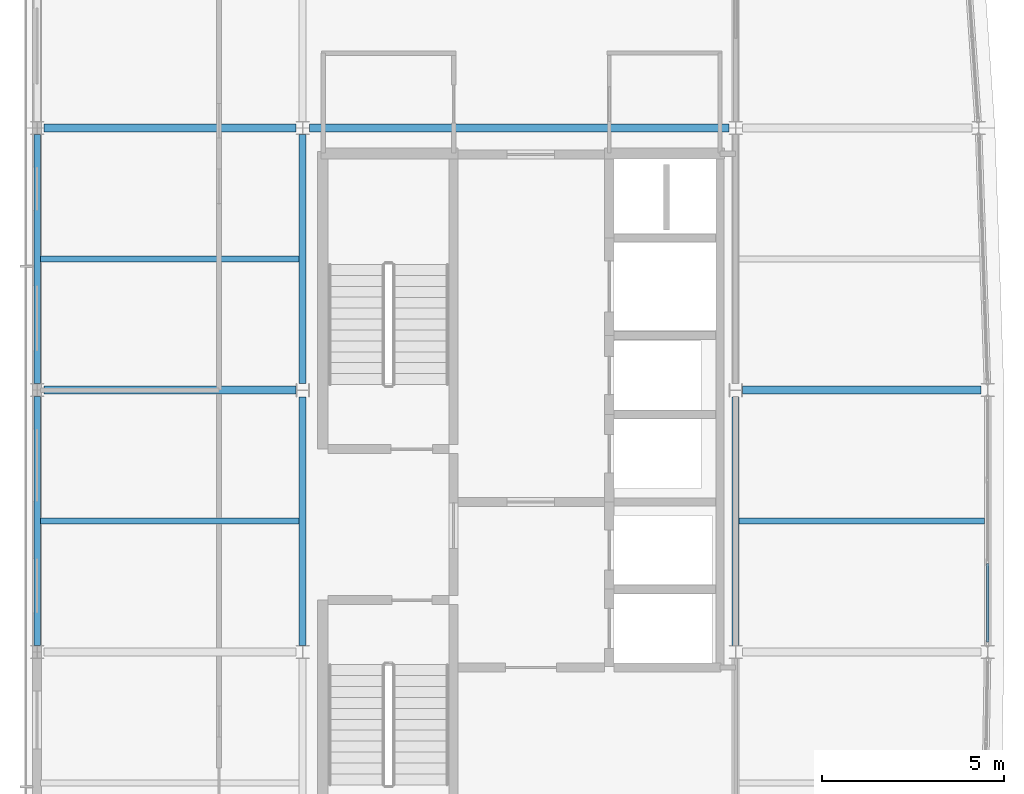
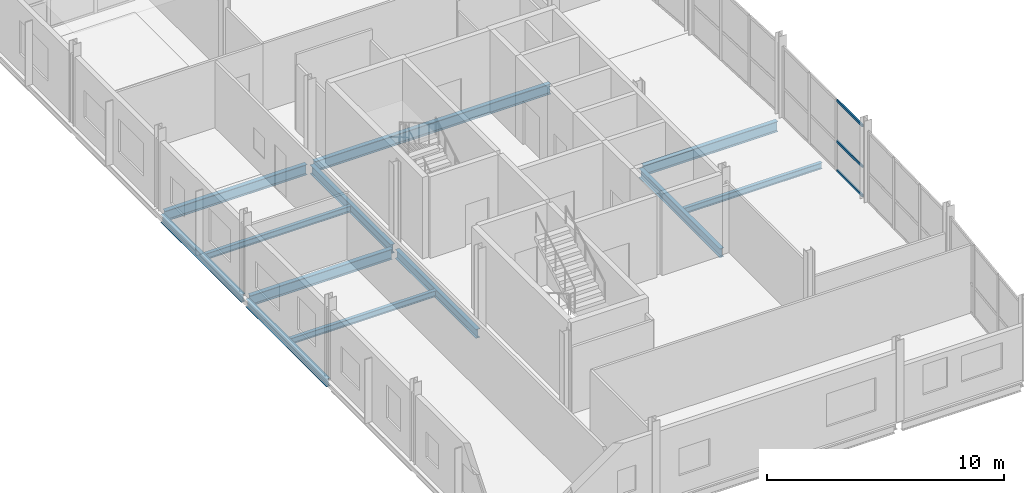
# One storey, part 3 of 16: 12 beams, 3 members, 1 element without a shape of its own.
"""IFC4 building model written with IfcOpenShell, lengths in metres."""

import ifcopenshell
import ifcopenshell.guid

model = None  # the IFC model being written
_history = None  # IfcOwnerHistory: only IFC2X3 demands one
_inside = {}  # id of a spatial element -> (the spatial element, [elements in it])
_under = {}  # id of a project, library or spatial element -> (it, [spatial elements below it])
_declared = {}  # id of a project -> (the project, [libraries it declares])
_typed = {}  # id of a type object -> (the type object, [elements of that type])
_made_of = {}  # id of a material, layer set ... -> (it, [elements and type objects made of it])


def new_model(schema):
    """Start an empty IFC model of exactly this schema.

    Asked for "IFC4X3", IfcOpenShell would pick the latest addendum, in which some entities
    have other attributes; the version numbers below select the first issue.
    IFC2X3 requires an IfcOwnerHistory on every rooted entity: one is made here for all.
    """
    global model, _history
    if schema == "IFC4X3":
        model = ifcopenshell.file(schema_version=(4, 3, 0, 0))
    else:
        model = ifcopenshell.file(schema=schema)
    _inside.clear()
    _under.clear()
    _declared.clear()
    _typed.clear()
    _made_of.clear()
    _history = None
    if model.schema == "IFC2X3":
        org = make("IfcOrganization", Name="unknown")
        user = make(
            "IfcPersonAndOrganization",
            ThePerson=make("IfcPerson", FamilyName="unknown"),
            TheOrganization=org,
        )
        app = make(
            "IfcApplication",
            ApplicationDeveloper=org,
            Version="unknown",
            ApplicationFullName="unknown",
            ApplicationIdentifier="unknown",
        )
        _history = make(
            "IfcOwnerHistory",
            OwningUser=user,
            OwningApplication=app,
            ChangeAction="ADDED",
            CreationDate=0,
        )
    return model


def make(cls, **values):
    """One entity of the class cls with the attributes given. An attribute that is None is left unset."""
    return model.create_entity(
        cls, **{name: value for name, value in values.items() if value is not None}
    )


def rooted(cls, **values):
    """An entity with a GlobalId (a new one), such as an element, a storey or a relation."""
    return make(cls, GlobalId=ifcopenshell.guid.new(), OwnerHistory=_history, **values)


def si_unit(unit_type, name, prefix=None):
    """IfcSIUnit, for example si_unit("LENGTHUNIT", "METRE", prefix="MILLI")."""
    return make("IfcSIUnit", UnitType=unit_type, Prefix=prefix, Name=name)


def assignment(units):
    """IfcUnitAssignment: the units of a project."""
    return None if units is None else make("IfcUnitAssignment", Units=units)


def point(xyz):
    """IfcCartesianPoint."""
    return None if xyz is None else make("IfcCartesianPoint", Coordinates=xyz)


def direction(xyz):
    """IfcDirection."""
    return None if xyz is None else make("IfcDirection", DirectionRatios=xyz)


def frame(location, z_axis=None, x_axis=None):
    """IfcAxis2Placement3D, a coordinate frame: its origin and axes. An axis left out is left unset."""
    return make(
        "IfcAxis2Placement3D",
        Location=point(location),
        Axis=direction(z_axis),
        RefDirection=direction(x_axis),
    )


def frame_2d(location, x_axis=None):
    """IfcAxis2Placement2D, a coordinate frame in the plane: its origin and x axis."""
    return make(
        "IfcAxis2Placement2D", Location=point(location), RefDirection=direction(x_axis)
    )


def origin():
    """The frame at (0, 0, 0) with its axes left unset."""
    return frame((0.0, 0.0, 0.0))


def origin_2d():
    """The frame at (0, 0) in the plane with its x axis left unset."""
    return frame_2d((0.0, 0.0))


def place(relative_to, where):
    """IfcLocalPlacement: puts the frame where relative to a parent placement (None: the world)."""
    return make(
        "IfcLocalPlacement", PlacementRelTo=relative_to, RelativePlacement=where
    )


def context(
    kind, dimensions, precision=None, world=None, true_north=None, identifier=None
):
    """IfcGeometricRepresentationContext, for example the 3D "Model" context."""
    return make(
        "IfcGeometricRepresentationContext",
        ContextIdentifier=identifier,
        ContextType=kind,
        CoordinateSpaceDimension=dimensions,
        Precision=precision,
        WorldCoordinateSystem=world,
        TrueNorth=true_north,
    )


def subcontext(parent, identifier, kind, view, scale=None):
    """IfcGeometricRepresentationSubContext, for example "Body" below "Model"."""
    return make(
        "IfcGeometricRepresentationSubContext",
        ContextIdentifier=identifier,
        ContextType=kind,
        ParentContext=parent,
        TargetScale=scale,
        TargetView=view,
    )


def project(units=None, contexts=None):
    """IfcProject with its units and contexts."""
    return rooted(
        "IfcProject",
        Name="project",
        RepresentationContexts=contexts,
        UnitsInContext=assignment(units),
    )


def spatial(cls, under=None, at=None, **own):
    """A site, building, storey or space (cls), placed at a placement, below another one or the project."""
    s = rooted(cls, ObjectPlacement=at, **own)
    if under is not None:
        _under.setdefault(under.id(), (under, []))[1].append(s)
    return s


def profile(cls, at=None, kind="AREA", **sizes):
    """A parametric profile (cls). Its sizes go by their IFC names, for example OverallWidth=200.0."""
    return make(cls, ProfileType=kind, Position=at, **sizes)


def hollow_rectangle(**sizes):
    """IfcRectangleHollowProfileDef."""
    return profile("IfcRectangleHollowProfileDef", **sizes)


def i_section(**sizes):
    """IfcIShapeProfileDef."""
    return profile("IfcIShapeProfileDef", **sizes)


def extrude(swept, where, along, depth):
    """IfcExtrudedAreaSolid: the profile swept, set in the frame where, extruded along a direction by depth."""
    return make(
        "IfcExtrudedAreaSolid",
        SweptArea=swept,
        Position=where,
        ExtrudedDirection=direction(along),
        Depth=depth,
    )


def shape(context_of_items, identifier, shape_type, items):
    """IfcShapeRepresentation: the items that make up one representation, for example the "Body"."""
    return make(
        "IfcShapeRepresentation",
        ContextOfItems=context_of_items,
        RepresentationIdentifier=identifier,
        RepresentationType=shape_type,
        Items=items,
    )


def material(Name=None, Category=None):
    """IfcMaterial."""
    return make("IfcMaterial", Name=Name, Category=Category)


def layer(
    of_material, thickness, ventilated=None, Name=None, Category=None, Priority=None
):
    """IfcMaterialLayer: one layer of a wall or slab, of a material (None: an air gap)."""
    return make(
        "IfcMaterialLayer",
        Material=of_material,
        LayerThickness=thickness,
        IsVentilated=ventilated,
        Name=Name,
        Category=Category,
        Priority=Priority,
    )


def layer_set(layers, Name=None):
    """IfcMaterialLayerSet."""
    return make("IfcMaterialLayerSet", MaterialLayers=layers, LayerSetName=Name)


def material_profile(
    of_material, cross_section, Name=None, Category=None, Priority=None
):
    """IfcMaterialProfile: a cross section and its material."""
    return make(
        "IfcMaterialProfile",
        Name=Name,
        Material=of_material,
        Profile=cross_section,
        Priority=Priority,
        Category=Category,
    )


def profile_set(profiles, Name=None, composite=None):
    """IfcMaterialProfileSet."""
    return make(
        "IfcMaterialProfileSet",
        Name=Name,
        MaterialProfiles=profiles,
        CompositeProfile=composite,
    )


def made_of(thing, what):
    """Note that an element or type object is made of a material, layer set ...; save() writes the relation."""
    if what is not None:
        _made_of.setdefault(what.id(), (what, []))[1].append(thing)
    return thing


def type_object(cls, material=None, **own):
    """A type object (cls), such as IfcWallType, which elements share."""
    return made_of(rooted(cls, **own), material)


def element(
    cls,
    number,
    at=None,
    inside=None,
    cuts=None,
    type_object=None,
    material=None,
    context=None,
    identifier="Body",
    shape_type=None,
    held_by="IfcProductDefinitionShape",
    body=None,
    shapes=None,
    **own,
):
    """One element of the class cls, such as IfcWall. Its Tag is "e" and its number.

    at: its placement. inside: the storey or other place that contains it. cuts: it is an
    opening in that element (IfcRelVoidsElement). A single representation is given by context,
    identifier, shape_type and body (its items); several are given by shapes. held_by: the class
    of the entity that holds the representations. save() writes the other relations.
    """
    e = rooted(cls, Tag="e%d" % number, ObjectPlacement=at, **own)
    if body is not None:
        shapes = [shape(context, identifier, shape_type, body)]
    if shapes is not None:
        e.Representation = make(held_by, Representations=shapes)
    if inside is not None:
        _inside.setdefault(inside.id(), (inside, []))[1].append(e)
    if cuts is not None:
        rooted(
            "IfcRelVoidsElement", RelatingBuildingElement=cuts, RelatedOpeningElement=e
        )
    if type_object is not None:
        _typed.setdefault(type_object.id(), (type_object, []))[1].append(e)
    return made_of(e, material)


def aggregate(whole, parts):
    """IfcRelAggregates: a whole, such as a stair, and the parts it consists of."""
    return rooted("IfcRelAggregates", RelatingObject=whole, RelatedObjects=parts)


def save(model, path):
    """Write the relations noted so far, then the file.

    IfcRelAggregates (storeys below a building ...), IfcRelContainedInSpatialStructure (elements
    in a storey), IfcRelDefinesByType, IfcRelAssociatesMaterial and IfcRelDeclares: one each for
    every whole, place, type object, material and project.
    """
    for whole, parts in _under.values():
        aggregate(whole, parts)
    for where, things in _inside.values():
        rooted(
            "IfcRelContainedInSpatialStructure",
            RelatedElements=things,
            RelatingStructure=where,
        )
    for kind, things in _typed.values():
        rooted("IfcRelDefinesByType", RelatedObjects=things, RelatingType=kind)
    for what, things in _made_of.values():
        rooted("IfcRelAssociatesMaterial", RelatedObjects=things, RelatingMaterial=what)
    for by, libraries in _declared.values():
        rooted("IfcRelDeclares", RelatingContext=by, RelatedDefinitions=libraries)
    model.write(path)


model = new_model("IFC4")

# Units and contexts
model_context = context("Model", 3, precision=1e-05, world=origin(), true_north=direction((0.0, 1.0)))
body_context = subcontext(model_context, "Body", "Model", "MODEL_VIEW")
ifc_project = project(units=[si_unit("LENGTHUNIT", "METRE"), si_unit("AREAUNIT", "SQUARE_METRE"), si_unit("VOLUMEUNIT", "CUBIC_METRE"), si_unit("PLANEANGLEUNIT", "RADIAN"), si_unit("MASSUNIT", "GRAM", prefix="KILO")], contexts=[model_context])

# Site, building, storey
site_placement = place(None, origin())
site = spatial("IfcSite", under=ifc_project, at=site_placement, CompositionType="ELEMENT")
building_placement = place(site_placement, origin())
building = spatial("IfcBuilding", under=site, at=building_placement, Name="Quillay Park Conservatory", CompositionType="ELEMENT")
storey_placement = place(building_placement, frame((0.0, 0.0, 43.5)))
storey = spatial("IfcBuildingStorey", under=building, at=storey_placement, Name="L10", CompositionType="ELEMENT", Elevation=43.5)

# Beams
ifc_material_1 = material(Name="Steel ASTM A992 Grade 50", Category="steel")
ifc_material_profile_1 = material_profile(ifc_material_1, i_section(OverallWidth=0.166015625, OverallDepth=0.31298828125, WebThickness=0.006591796875, FlangeThickness=0.01123046875, FilletRadius=0.010009765625, at=origin_2d()), Name="W310x45")
ifc_profile_set_1 = profile_set([ifc_material_profile_1], Name="Steel ASTM A992 Grade 50")
beam_type_1 = type_object("IfcBeamType", Name="COMPOSITE FLOOR JOIST W310 X45", PredefinedType="JOIST", material=ifc_profile_set_1)
beam_1_placement = place(storey_placement, frame((0.639892578125, 88.800048828125, -0.3564453125), z_axis=(1.0, 0.0, 0.0), x_axis=(0.0, 1.0, 0.0)))
element("IfcBeam", 1, at=beam_1_placement, inside=storey, type_object=beam_type_1, Name="L10 beam BM-J-0746", PredefinedType="JOIST", context=body_context, shape_type="SweptSolid", body=[
    extrude(i_section(OverallWidth=0.166015625, OverallDepth=0.31298828125, WebThickness=0.006591796875, FlangeThickness=0.01123046875, FilletRadius=0.010009765625, at=origin_2d()), origin(), (0.0, 0.0, 1.0), 7.114013671875),
])
beam_2_placement = place(storey_placement, frame((19.845947265625, 88.800048828125, -0.3564453125), z_axis=(1.0, 0.0, 0.0), x_axis=(0.0, 1.0, 0.0)))
element("IfcBeam", 2, at=beam_2_placement, inside=storey, type_object=beam_type_1, Name="L10 beam BM-J-0747", PredefinedType="JOIST", context=body_context, shape_type="SweptSolid", body=[
    extrude(i_section(OverallWidth=0.166015625, OverallDepth=0.31298828125, WebThickness=0.006591796875, FlangeThickness=0.01123046875, FilletRadius=0.010009765625, at=origin_2d()), origin(), (0.0, 0.0, 1.0), 6.739013671875),
])
beam_3_placement = place(storey_placement, frame((0.639892578125, 96.0, -0.3564453125), z_axis=(1.0, 0.0, 0.0), x_axis=(0.0, 1.0, 0.0)))
element("IfcBeam", 3, at=beam_3_placement, inside=storey, type_object=beam_type_1, Name="L10 beam BM-J-0752", PredefinedType="JOIST", context=body_context, shape_type="SweptSolid", body=[
    extrude(i_section(OverallWidth=0.166015625, OverallDepth=0.31298828125, WebThickness=0.006591796875, FlangeThickness=0.01123046875, FilletRadius=0.010009765625, at=origin_2d()), origin(), (0.0, 0.0, 1.0), 7.114013671875),
])

# Curtain wall, members
ifc_material_2 = material(Name="Thermally Broken Anodised Aluminium 6063-T6", Category="aluminium")
ifc_layer = layer(ifc_material_2, 0.179931640625)
ifc_layer_set = layer_set([ifc_layer], Name="UNITISED CURTAIN WALL TOWER (Thermally Broken Anodised Aluminium 6063-T6)")
curtain_wall_type = type_object("IfcCurtainWallType", Name="UNITISED CURTAIN WALL TOWER", PredefinedType="USERDEFINED", material=ifc_layer_set)
curtain_wall_placement = place(storey_placement, origin())
curtain_wall = element("IfcCurtainWall", 4, at=curtain_wall_placement, inside=storey, type_object=curtain_wall_type, Name="L10 Unitised Curtain Wall 098", ObjectType="UNITISED CURTAIN WALL", PredefinedType="USERDEFINED")
ifc_material_3 = material(Name="Thermally Broken Anodised Aluminium 6063-T6", Category="aluminium")
ifc_material_profile_2 = material_profile(ifc_material_3, hollow_rectangle(XDim=0.070068359375, YDim=0.1298828125, WallThickness=0.003173828125, at=origin_2d()), Name="AL70x130x3.2")
ifc_profile_set_2 = profile_set([ifc_material_profile_2], Name="Thermally Broken Anodised Aluminium 6063-T6")
member_type = type_object("IfcMemberType", Name="CURTAIN WALL TRANSOM 70 X130", PredefinedType="USERDEFINED", material=ifc_profile_set_2)
member_1_placement = place(storey_placement, frame((26.675048828125, 87.631591796875, 0.034912109375), z_axis=(0.0, -1.0, 0.0), x_axis=(1.0, 0.0, 0.0)))
member_1 = element("IfcMember", 5, at=member_1_placement, type_object=member_type, Name="CW-T1 transom 3.1", ObjectType="TRANSOM", PredefinedType="USERDEFINED", context=body_context, shape_type="SweptSolid", body=[
    extrude(hollow_rectangle(XDim=0.070068359375, YDim=0.1298828125, WallThickness=0.003173828125, at=origin_2d()), origin(), (0.0, 0.0, 1.0), 2.16162109375),
])
member_2_placement = place(storey_placement, frame((26.675048828125, 87.631591796875, 1.544189453125), z_axis=(0.0, -1.0, 0.0), x_axis=(1.0, 0.0, 0.0)))
member_2 = element("IfcMember", 6, at=member_2_placement, type_object=member_type, Name="CW-T1 transom 3.2", ObjectType="TRANSOM", PredefinedType="USERDEFINED", context=body_context, shape_type="SweptSolid", body=[
    extrude(hollow_rectangle(XDim=0.070068359375, YDim=0.1298828125, WallThickness=0.003173828125, at=origin_2d()), origin(), (0.0, 0.0, 1.0), 2.16162109375),
])
member_3_placement = place(storey_placement, frame((26.675048828125, 87.631591796875, 3.64208984375), z_axis=(0.0, -1.0, 0.0), x_axis=(1.0, 0.0, 0.0)))
member_3 = element("IfcMember", 7, at=member_3_placement, type_object=member_type, Name="CW-T1 transom 3.3", ObjectType="TRANSOM", PredefinedType="USERDEFINED", context=body_context, shape_type="SweptSolid", body=[
    extrude(hollow_rectangle(XDim=0.070068359375, YDim=0.1298828125, WallThickness=0.003173828125, at=origin_2d()), origin(), (0.0, 0.0, 1.0), 2.16162109375),
])
aggregate(curtain_wall, [member_1, member_2, member_3])

# Beams
ifc_material_4 = material(Name="Steel ASTM A992 Grade 50", Category="steel")
ifc_material_profile_3 = material_profile(ifc_material_4, i_section(OverallWidth=0.179931640625, OverallDepth=0.4130859375, WebThickness=0.009765625, FlangeThickness=0.01611328125, FilletRadius=0.011962890625, at=origin_2d()), Name="W410x74")
ifc_profile_set_3 = profile_set([ifc_material_profile_3], Name="Steel ASTM A992 Grade 50")
beam_type_2 = type_object("IfcBeamType", Name="PERIMETER SPANDREL BEAM W410 X74", PredefinedType="SPANDREL", material=ifc_profile_set_3)
for number, where, z_axis, x_axis, name in (
    (8, (0.550048828125, 85.382080078125, -0.406494140625), (0.0, 1.0, 0.0), (-1.0, 0.0, 0.0), "L10 beam BM-SPW-0742"),
    (9, (0.550048828125, 92.58203125, -0.406494140625), (0.0, 1.0, 0.0), (-1.0, 0.0, 0.0), "L10 beam BM-SPW-0748"),
):
    element("IfcBeam", number, at=place(storey_placement, frame(where, z_axis=z_axis, x_axis=x_axis)), inside=storey, type_object=beam_type_2, Name=name, PredefinedType="SPANDREL", context=body_context, shape_type="SweptSolid", body=[
        extrude(i_section(OverallWidth=0.179931640625, OverallDepth=0.4130859375, WebThickness=0.009765625, FlangeThickness=0.01611328125, FilletRadius=0.011962890625, at=origin_2d()), origin(), (0.0, 0.0, 1.0), 6.8359375),
    ])
ifc_material_5 = material(Name="Steel ASTM A992 Grade 50", Category="steel")
ifc_material_profile_4 = material_profile(ifc_material_5, i_section(OverallWidth=0.19189453125, OverallDepth=0.462890625, WebThickness=0.010498046875, FlangeThickness=0.017578125, FilletRadius=0.012939453125, at=origin_2d()), Name="W460x89")
ifc_profile_set_4 = profile_set([ifc_material_profile_4], Name="Steel ASTM A992 Grade 50")
beam_type_3 = type_object("IfcBeamType", Name="PRIMARY FLOOR GIRDER W460 X89", PredefinedType="BEAM", material=ifc_profile_set_4)
for number, where, z_axis, x_axis, name in (
    (10, (7.85009765625, 85.382080078125, -0.431396484375), (0.0, 1.0, 0.0), (-1.0, 0.0, 0.0), "L10 beam BM-GNS-0744"),
    (11, (19.75, 85.382080078125, -0.431396484375), (0.0, 1.0, 0.0), (-1.0, 0.0, 0.0), "L10 beam BM-GNS-0745"),
    (12, (7.85009765625, 92.58544921875, -0.431396484375), (0.0, 1.0, 0.0), (-1.0, 0.0, 0.0), "L10 beam BM-GNS-0750"),
):
    element("IfcBeam", number, at=place(storey_placement, frame(where, z_axis=z_axis, x_axis=x_axis)), inside=storey, type_object=beam_type_3, Name=name, PredefinedType="BEAM", context=body_context, shape_type="SweptSolid", body=[
        extrude(i_section(OverallWidth=0.19189453125, OverallDepth=0.462890625, WebThickness=0.010498046875, FlangeThickness=0.017578125, FilletRadius=0.012939453125, at=origin_2d()), origin(), (0.0, 0.0, 1.0), 6.83251953125),
    ])
ifc_material_6 = material(Name="Steel ASTM A992 Grade 50", Category="steel")
ifc_material_profile_5 = material_profile(ifc_material_6, i_section(OverallWidth=0.2109375, OverallDepth=0.5390625, WebThickness=0.01171875, FlangeThickness=0.018798828125, FilletRadius=0.013916015625, at=origin_2d()), Name="W530x109")
ifc_profile_set_5 = profile_set([ifc_material_profile_5], Name="Steel ASTM A992 Grade 50")
beam_type_4 = type_object("IfcBeamType", Name="PRIMARY FLOOR GIRDER W530 X109", PredefinedType="BEAM", material=ifc_profile_set_5)
beam_4_placement = place(storey_placement, frame((0.735595703125, 92.39990234375, -0.469482421875), z_axis=(1.0, 0.0, 0.0), x_axis=(0.0, 1.0, 0.0)))
element("IfcBeam", 13, at=beam_4_placement, inside=storey, type_object=beam_type_4, Name="L10 beam BM-G-0718", PredefinedType="BEAM", context=body_context, shape_type="SweptSolid", body=[
    extrude(i_section(OverallWidth=0.2109375, OverallDepth=0.5390625, WebThickness=0.01171875, FlangeThickness=0.018798828125, FilletRadius=0.013916015625, at=origin_2d()), origin(), (0.0, 0.0, 1.0), 6.932373046875),
])
beam_5_placement = place(storey_placement, frame((19.931884765625, 92.39990234375, -0.469482421875), z_axis=(1.0, 0.0, 0.0), x_axis=(0.0, 1.0, 0.0)))
element("IfcBeam", 14, at=beam_5_placement, inside=storey, type_object=beam_type_4, Name="L10 beam BM-G-0719", PredefinedType="BEAM", context=body_context, shape_type="SweptSolid", body=[
    extrude(i_section(OverallWidth=0.2109375, OverallDepth=0.5390625, WebThickness=0.01171875, FlangeThickness=0.018798828125, FilletRadius=0.013916015625, at=origin_2d()), origin(), (0.0, 0.0, 1.0), 6.5576171875),
])
beam_6_placement = place(storey_placement, frame((0.735595703125, 99.60009765625, -0.469482421875), z_axis=(1.0, 0.0, 0.0), x_axis=(0.0, 1.0, 0.0)))
element("IfcBeam", 15, at=beam_6_placement, inside=storey, type_object=beam_type_4, Name="L10 beam BM-G-0720", PredefinedType="BEAM", context=body_context, shape_type="SweptSolid", body=[
    extrude(i_section(OverallWidth=0.2109375, OverallDepth=0.5390625, WebThickness=0.01171875, FlangeThickness=0.018798828125, FilletRadius=0.013916015625, at=origin_2d()), origin(), (0.0, 0.0, 1.0), 6.928955078125),
])
beam_7_placement = place(storey_placement, frame((8.035400390625, 99.60009765625, -0.469482421875), z_axis=(1.0, 0.0, 0.0), x_axis=(0.0, 1.0, 0.0)))
element("IfcBeam", 16, at=beam_7_placement, inside=storey, type_object=beam_type_4, Name="L10 beam BM-G-0721", PredefinedType="BEAM", context=body_context, shape_type="SweptSolid", body=[
    extrude(i_section(OverallWidth=0.2109375, OverallDepth=0.5390625, WebThickness=0.01171875, FlangeThickness=0.018798828125, FilletRadius=0.013916015625, at=origin_2d()), origin(), (0.0, 0.0, 1.0), 11.529052734375),
])

save(model, "model.ifc")
